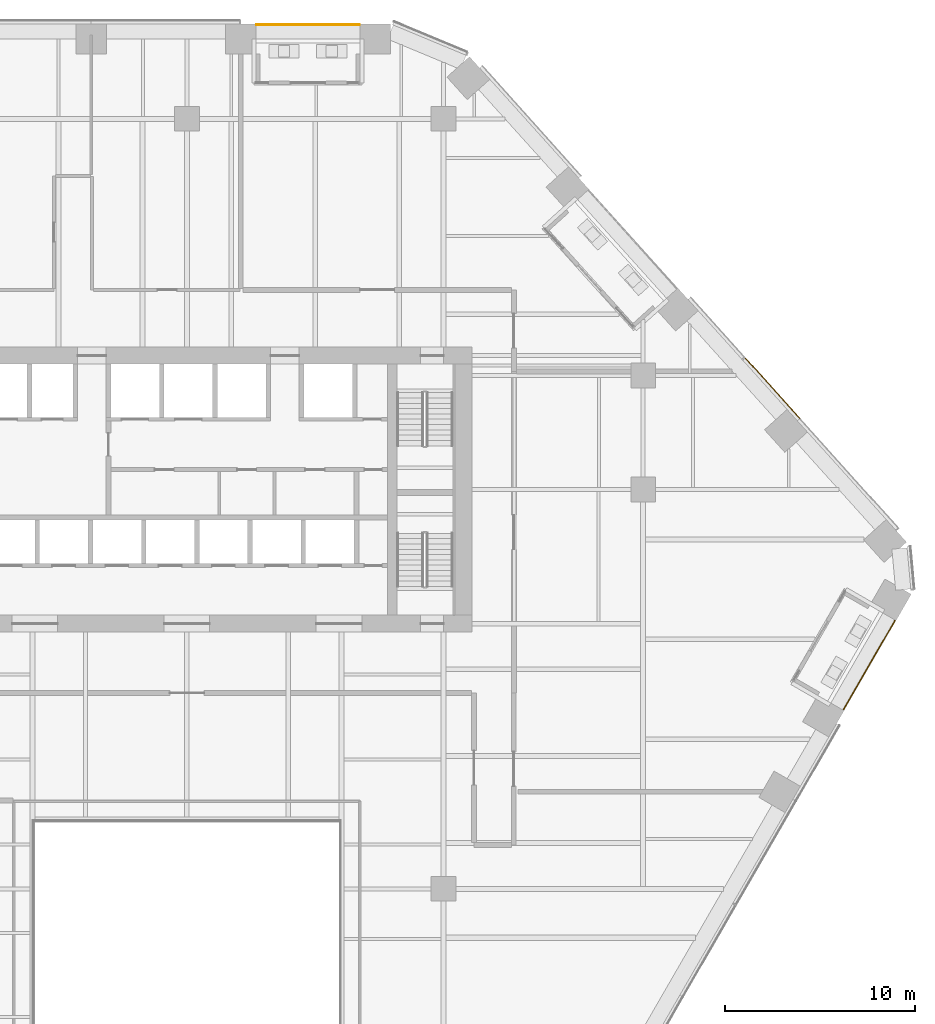
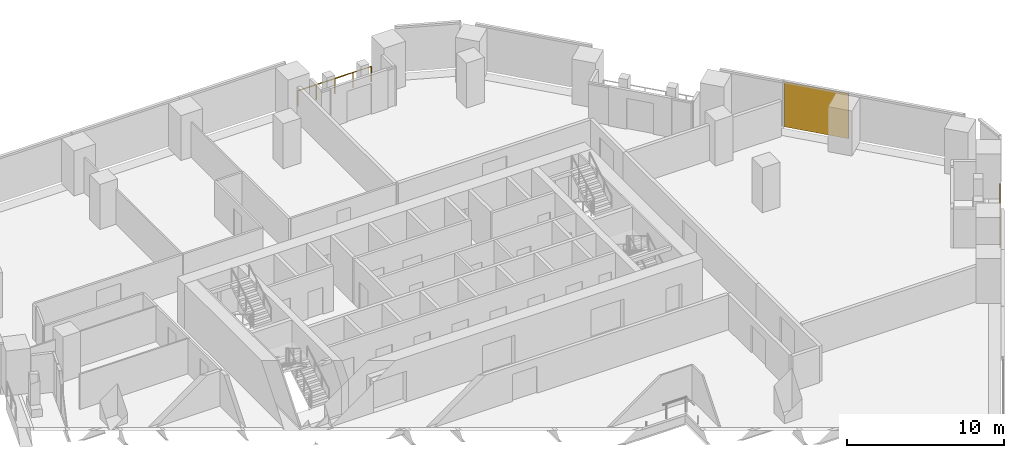
# One storey, part 27 of 28: 2 railings, 1 covering, 1 element without a shape of its own.
"""IFC4 building model written with IfcOpenShell, lengths in metres."""

from ifc_helpers import new_model, si_unit, direction, frame, origin, origin_2d, place, context, subcontext, project, spatial, rectangle, circle, extrude, material, layer, layer_set, type_object, element, aggregate, save


model = new_model("IFC4")

# Units and contexts
model_context = context("Model", 3, precision=1e-05, world=origin(), true_north=direction((0.0, 1.0)))
body_context = subcontext(model_context, "Body", "Model", "MODEL_VIEW")
ifc_project = project(units=[si_unit("LENGTHUNIT", "METRE"), si_unit("AREAUNIT", "SQUARE_METRE"), si_unit("VOLUMEUNIT", "CUBIC_METRE"), si_unit("PLANEANGLEUNIT", "RADIAN"), si_unit("MASSUNIT", "GRAM", prefix="KILO")], contexts=[model_context])

# Site, building, storey
site_placement = place(None, origin())
site = spatial("IfcSite", under=ifc_project, at=site_placement, CompositionType="ELEMENT")
building_placement = place(site_placement, origin())
building = spatial("IfcBuilding", under=site, at=building_placement, Name="Isthmus Gate Tower", CompositionType="ELEMENT")
storey_placement = place(building_placement, frame((0.0, 0.0, 98.89990234375)))
storey = spatial("IfcBuildingStorey", under=building, at=storey_placement, Name="L23", CompositionType="ELEMENT", Elevation=98.89990234375)

# Curtain wall, covering
ifc_material_1 = material(Name="Aluminium, pale champagne anodised", Category="aluminium")
ifc_layer_1 = layer(ifc_material_1, 0.199951171875)
ifc_layer_set_1 = layer_set([ifc_layer_1], Name="CW-1 UNITISED CURTAIN WALL 200 DEEP")
curtain_wall_type = type_object("IfcCurtainWallType", Name="CW-1 UNITISED CURTAIN WALL 200 DEEP", PredefinedType="NOTDEFINED", material=ifc_layer_set_1)
curtain_wall_placement = place(storey_placement, origin())
curtain_wall = element("IfcCurtainWall", 1, at=curtain_wall_placement, inside=storey, type_object=curtain_wall_type, Name="CW-1 NE L23", PredefinedType="NOTDEFINED")
ifc_material_2 = material(Name="Aluminium composite panel, pale champagne anodised", Category="aluminium")
ifc_layer_2 = layer(ifc_material_2, 0.0400390625)
ifc_layer_set_2 = layer_set([ifc_layer_2], Name="CW-1 PALE METAL PANEL 40")
covering_type = type_object("IfcCoveringType", Name="CW-1 PALE METAL PANEL 40", PredefinedType="CLADDING", material=ifc_layer_set_2)
covering_placement = place(storey_placement, frame((30.80419921875, 12.835693359375, 0.0), z_axis=(0.0, 0.0, 1.0), x_axis=(-0.669130606359, 0.743144825477, 0.0)))
covering = element("IfcCovering", 2, at=covering_placement, type_object=covering_type, Name="CW-1 pale metal panel", PredefinedType="CLADDING", context=body_context, shape_type="SweptSolid", body=[
    extrude(rectangle(XDim=4.294677734375, YDim=0.0400390625, at=origin_2d()), origin(), (0.0, 0.0, 1.0), 3.5),
])
aggregate(curtain_wall, [covering])

# Railings
ifc_material_3 = material(Name="Toughened laminated glass with stainless steel posts", Category="steel")
railing_type = type_object("IfcRailingType", Name="GUARD 1200 FRAMELESS GLASS", PredefinedType="GUARDRAIL", material=ifc_material_3)
railing_1_placement = place(storey_placement, frame((9.061767578125, 31.949951171875, 0.0)))
element("IfcRailing", 3, at=railing_1_placement, inside=storey, type_object=railing_type, Name="LOGGIA GUARD", PredefinedType="GUARDRAIL", context=body_context, shape_type="SweptSolid", body=[
    extrude(circle(Radius=0.02490234375, at=origin_2d()), frame((0.0, 0.0, 1.1748046875), z_axis=(-1.0, 0.0, 0.0), x_axis=(0.0, -1.0, 0.0)), (0.0, 0.0, 1.0), 5.389404296875),
    extrude(circle(Radius=0.02490234375, at=origin_2d()), origin(), (0.0, 0.0, 1.0), 1.14990234375),
    extrude(circle(Radius=0.02490234375, at=origin_2d()), frame((-1.347412109375, 0.0, 0.0)), (0.0, 0.0, 1.0), 1.14990234375),
    extrude(circle(Radius=0.02490234375, at=origin_2d()), frame((-2.69482421875, 0.0, 0.0)), (0.0, 0.0, 1.0), 1.14990234375),
    extrude(circle(Radius=0.02490234375, at=origin_2d()), frame((-4.0419921875, 0.0, 0.0)), (0.0, 0.0, 1.0), 1.14990234375),
    extrude(circle(Radius=0.02490234375, at=origin_2d()), frame((-5.389404296875, 0.0, 0.0)), (0.0, 0.0, 1.0), 1.14990234375),
])
railing_2_placement = place(storey_placement, frame((34.54296875, -4.070068359375, 0.0)))
element("IfcRailing", 4, at=railing_2_placement, inside=storey, type_object=railing_type, Name="LOGGIA GUARD", PredefinedType="GUARDRAIL", context=body_context, shape_type="SweptSolid", body=[
    extrude(circle(Radius=0.02490234375, at=origin_2d()), frame((0.0, 0.0, 1.1748046875), z_axis=(0.499973416292, 0.866040751352, 0.0), x_axis=(-0.866040751352, 0.499973416292, 0.0)), (0.0, 0.0, 1.0), 5.389404296875),
    extrude(circle(Radius=0.02490234375, at=origin_2d()), origin(), (0.0, 0.0, 1.0), 1.14990234375),
    extrude(circle(Radius=0.02490234375, at=origin_2d()), frame((0.673583984375, 1.1669921875, 0.0)), (0.0, 0.0, 1.0), 1.14990234375),
    extrude(circle(Radius=0.02490234375, at=origin_2d()), frame((1.34716796875, 2.333740234375, 0.0)), (0.0, 0.0, 1.0), 1.14990234375),
    extrude(circle(Radius=0.02490234375, at=origin_2d()), frame((2.02099609375, 3.50048828125, 0.0)), (0.0, 0.0, 1.0), 1.14990234375),
    extrude(circle(Radius=0.02490234375, at=origin_2d()), frame((2.694580078125, 4.66748046875, 0.0)), (0.0, 0.0, 1.0), 1.14990234375),
])

save(model, "model.ifc")
